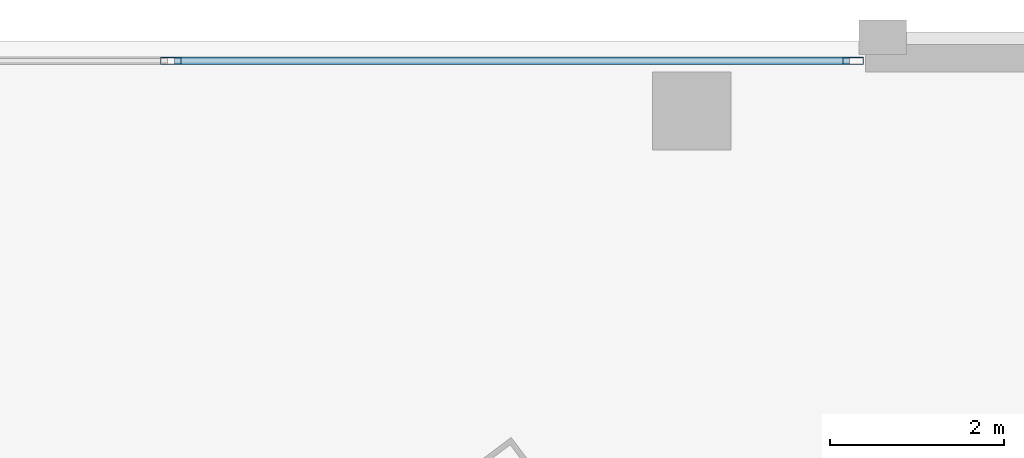
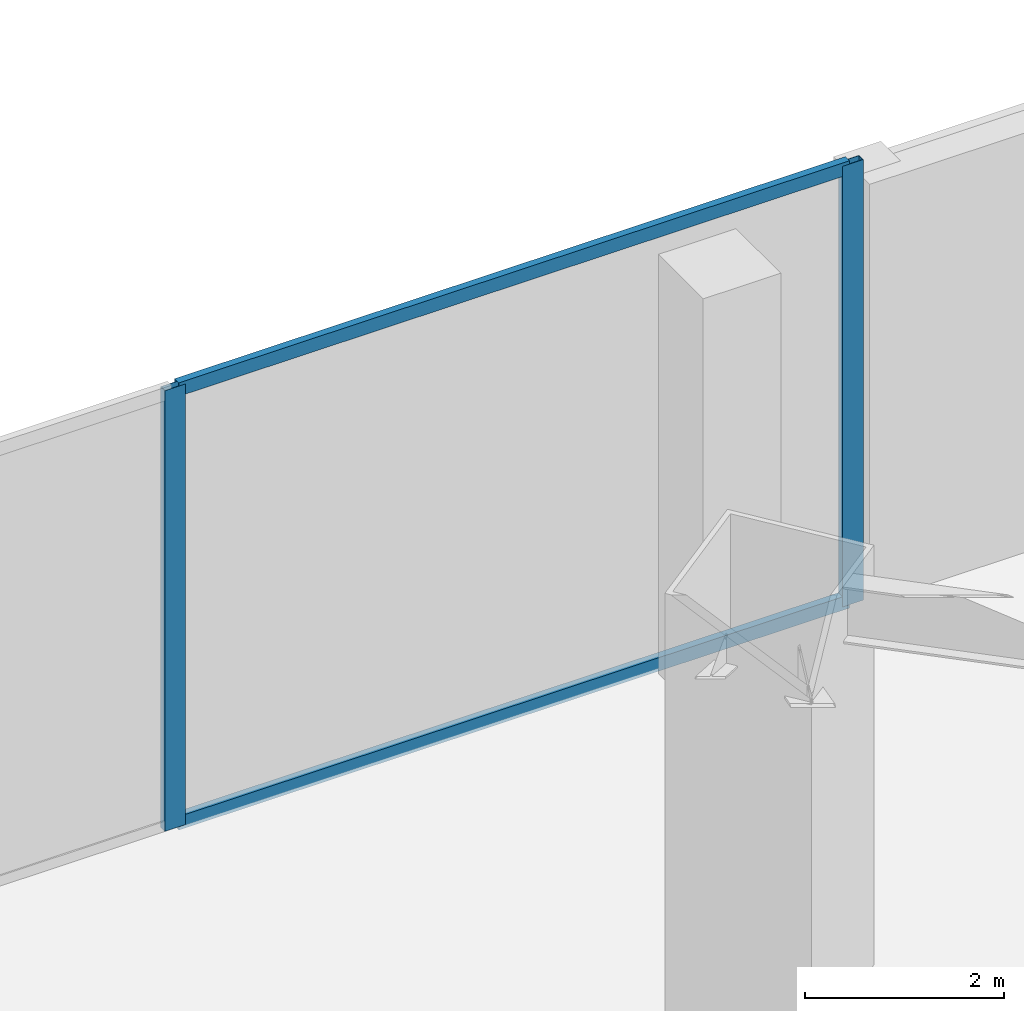
# One storey, part 27 of 48: 4 members, 1 element without a shape of its own.
"""IFC4 building model written with IfcOpenShell, lengths in metres."""

from ifc_helpers import new_model, si_unit, direction, frame, origin, origin_2d, place, context, subcontext, project, spatial, hollow_rectangle, extrude, material, material_profile, profile_set, type_object, element, aggregate, save


model = new_model("IFC4")

# Units and contexts
model_context = context("Model", 3, precision=1e-05, world=origin(), true_north=direction((0.0, 1.0)))
body_context = subcontext(model_context, "Body", "Model", "MODEL_VIEW")
ifc_project = project(units=[si_unit("LENGTHUNIT", "METRE"), si_unit("AREAUNIT", "SQUARE_METRE"), si_unit("VOLUMEUNIT", "CUBIC_METRE"), si_unit("PLANEANGLEUNIT", "RADIAN"), si_unit("MASSUNIT", "GRAM", prefix="KILO")], contexts=[model_context])

# Site, building, storey
site_placement = place(None, origin())
site = spatial("IfcSite", under=ifc_project, at=site_placement, CompositionType="ELEMENT")
building_placement = place(site_placement, origin())
building = spatial("IfcBuilding", under=site, at=building_placement, Name="Tashvorn Skyway Center", CompositionType="ELEMENT")
storey_placement = place(building_placement, frame((0.0, 0.0, 10.199951171875)))
storey = spatial("IfcBuildingStorey", under=building, at=storey_placement, Name="L02", CompositionType="ELEMENT", Elevation=10.199951171875)

# Curtain wall, members
ifc_material = material(Name="Thermally broken bronze-anodized aluminium 6063-T6", Category="aluminium")
curtain_wall_type = type_object("IfcCurtainWallType", Name="CW-CW-Z1", PredefinedType="NOTDEFINED", material=ifc_material)
curtain_wall_placement = place(storey_placement, origin())
curtain_wall = element("IfcCurtainWall", 1, at=curtain_wall_placement, inside=storey, type_object=curtain_wall_type, Name="L02 North Station Arcade Curtain Wall 3", PredefinedType="NOTDEFINED")
ifc_material_profile_1 = material_profile(ifc_material, hollow_rectangle(XDim=0.0849609375, YDim=0.239990234375, WallThickness=0.0048828125, at=origin_2d()), Name="ALU-MULL-85x240")
ifc_profile_set_1 = profile_set([ifc_material_profile_1], Name="Thermally broken bronze-anodized aluminium 6063-T6")
member_type_1 = type_object("IfcMemberType", Name="CWM-CW-Z1", PredefinedType="MULLION", material=ifc_profile_set_1)
member_1_placement = place(storey_placement, frame((114.0, 63.780029296875, 0.0), z_axis=(0.0, 0.0, 1.0), x_axis=(0.0, 1.0, 0.0)))
member_1 = element("IfcMember", 2, at=member_1_placement, type_object=member_type_1, Name="CW-Z1 mullion 2", PredefinedType="MULLION", context=body_context, shape_type="SweptSolid", body=[
    extrude(hollow_rectangle(XDim=0.0849609375, YDim=0.239990234375, WallThickness=0.0048828125, at=origin_2d()), origin(), (0.0, 0.0, 1.0), 5.400146484375),
])
member_2_placement = place(storey_placement, frame((121.857421875, 63.780029296875, 0.0), z_axis=(0.0, 0.0, 1.0), x_axis=(0.0, 1.0, 0.0)))
member_2 = element("IfcMember", 3, at=member_2_placement, type_object=member_type_1, Name="CW-Z1 mullion 3", PredefinedType="MULLION", context=body_context, shape_type="SweptSolid", body=[
    extrude(hollow_rectangle(XDim=0.0849609375, YDim=0.239990234375, WallThickness=0.0048828125, at=origin_2d()), origin(), (0.0, 0.0, 1.0), 5.400146484375),
])
ifc_material_profile_2 = material_profile(ifc_material, hollow_rectangle(XDim=0.0849609375, YDim=0.1650390625, WallThickness=0.0048828125, at=origin_2d()), Name="ALU-TRAN-85x165")
ifc_profile_set_2 = profile_set([ifc_material_profile_2], Name="Thermally broken bronze-anodized aluminium 6063-T6")
member_type_2 = type_object("IfcMemberType", Name="CWT-CW-Z1", PredefinedType="USERDEFINED", material=ifc_profile_set_2)
member_3_placement = place(storey_placement, frame((114.04248046875, 63.780029296875, 0.04248046875), z_axis=(1.0, 0.0, 0.0), x_axis=(0.0, 1.0, 0.0)))
member_3 = element("IfcMember", 4, at=member_3_placement, type_object=member_type_2, Name="CW-Z1 transom 2.1", ObjectType="TRANSOM", PredefinedType="USERDEFINED", context=body_context, shape_type="SweptSolid", body=[
    extrude(hollow_rectangle(XDim=0.0849609375, YDim=0.1650390625, WallThickness=0.0048828125, at=origin_2d()), origin(), (0.0, 0.0, 1.0), 7.7724609375),
])
member_4_placement = place(storey_placement, frame((114.04248046875, 63.780029296875, 5.357666015625), z_axis=(1.0, 0.0, 0.0), x_axis=(0.0, 1.0, 0.0)))
member_4 = element("IfcMember", 5, at=member_4_placement, type_object=member_type_2, Name="CW-Z1 transom 2.2", ObjectType="TRANSOM", PredefinedType="USERDEFINED", context=body_context, shape_type="SweptSolid", body=[
    extrude(hollow_rectangle(XDim=0.0849609375, YDim=0.1650390625, WallThickness=0.0048828125, at=origin_2d()), origin(), (0.0, 0.0, 1.0), 7.7724609375),
])
aggregate(curtain_wall, [member_1, member_2, member_3, member_4])

save(model, "model.ifc")
